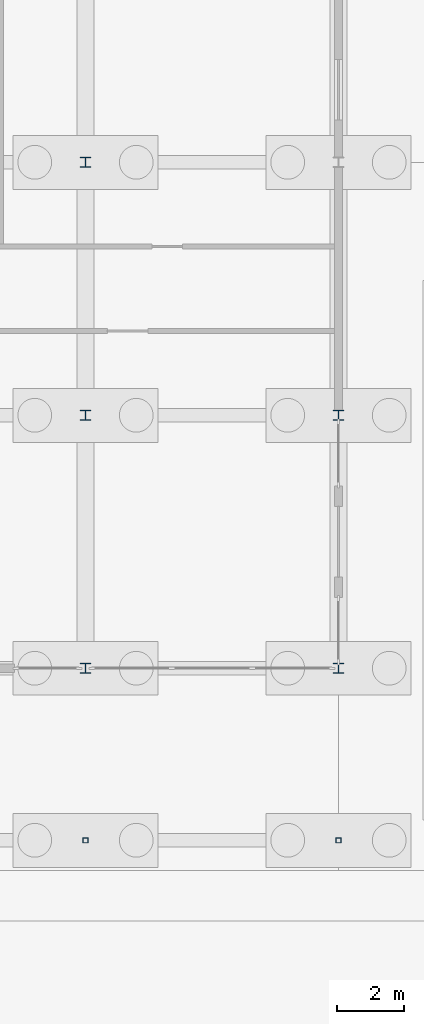
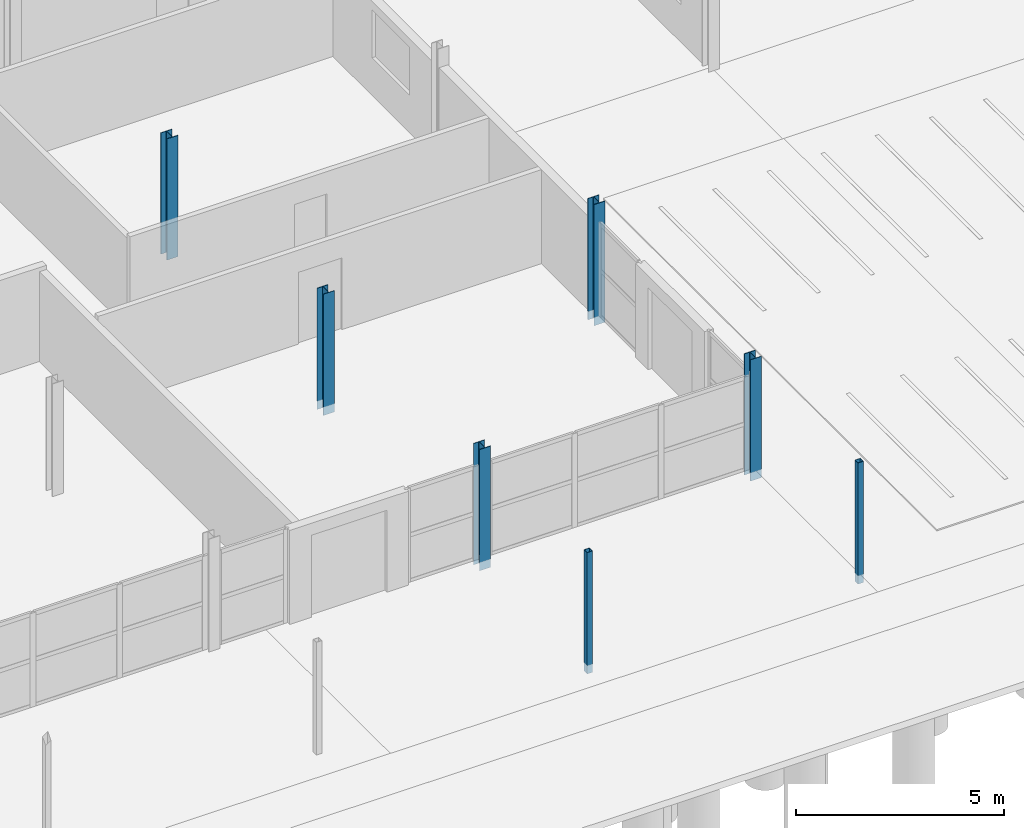
# One storey, part 26 of 130: 7 columns.
"""IFC4 building model written with IfcOpenShell, lengths in metres."""

from ifc_helpers import new_model, si_unit, direction, frame, origin, origin_2d, place, context, subcontext, project, spatial, hollow_rectangle, i_section, extrude, material, material_profile, profile_set, type_object, element, save


model = new_model("IFC4")

# Units and contexts
model_context = context("Model", 3, precision=1e-05, world=origin(), true_north=direction((0.0, 1.0)))
body_context = subcontext(model_context, "Body", "Model", "MODEL_VIEW")
ifc_project = project(units=[si_unit("LENGTHUNIT", "METRE"), si_unit("AREAUNIT", "SQUARE_METRE"), si_unit("VOLUMEUNIT", "CUBIC_METRE"), si_unit("PLANEANGLEUNIT", "RADIAN"), si_unit("MASSUNIT", "GRAM", prefix="KILO")], contexts=[model_context])

# Site, building, storey
site_placement = place(None, origin())
site = spatial("IfcSite", under=ifc_project, at=site_placement, CompositionType="ELEMENT")
building_placement = place(site_placement, origin())
building = spatial("IfcBuilding", under=site, at=building_placement, Name="Parallax Yard Mobility Hub", CompositionType="ELEMENT")
storey_placement = place(building_placement, origin())
storey = spatial("IfcBuildingStorey", under=building, at=storey_placement, Name="L00", CompositionType="ELEMENT", Elevation=0.0)

# Columns
ifc_material_1 = material(Name="Steel ASTM A500 Gr C", Category="steel")
ifc_material_profile_1 = material_profile(ifc_material_1, hollow_rectangle(XDim=0.15234375, YDim=0.15234375, WallThickness=0.009521484375, at=origin_2d()), Name="HSS152x152x9.5")
ifc_profile_set_1 = profile_set([ifc_material_profile_1], Name="Steel ASTM A500 Gr C")
column_type_1 = type_object("IfcColumnType", Name="Roof column HSS152x152x9.5", PredefinedType="COLUMN", material=ifc_profile_set_1)
for number, where, z_axis, x_axis, name in (
    (1, (165.0, 2.39990234375, -0.25), (0.0, 0.0, 1.0), (1.0, 0.0, 0.0), "Arcade column V6 10 level L00"),
    (2, (172.5, 2.39990234375, -0.25), (0.0, 0.0, 1.0), (1.0, 0.0, 0.0), "Arcade column V6 11 level L00"),
):
    element("IfcColumn", number, at=place(storey_placement, frame(where, z_axis=z_axis, x_axis=x_axis)), inside=storey, type_object=column_type_1, Name=name, PredefinedType="COLUMN", context=body_context, shape_type="SweptSolid", body=[
        extrude(hollow_rectangle(XDim=0.15234375, YDim=0.15234375, WallThickness=0.009521484375, at=origin_2d()), origin(), (0.0, 0.0, 1.0), 3.550048828125),
    ])
ifc_material_2 = material(Name="Steel ASTM A992", Category="steel")
ifc_material_profile_2 = material_profile(ifc_material_2, i_section(OverallWidth=0.304931640625, OverallDepth=0.306884765625, WebThickness=0.010009765625, FlangeThickness=0.015380859375, FilletRadius=0.01513671875, at=origin_2d()), Name="W310x97")
ifc_profile_set_2 = profile_set([ifc_material_profile_2], Name="Steel ASTM A992")
column_type_2 = type_object("IfcColumnType", Name="W310x97 column", PredefinedType="COLUMN", material=ifc_profile_set_2)
for number, where, z_axis, x_axis, name in (
    (3, (165.0, 7.5, -0.25), (0.0, 0.0, 1.0), (1.0, 0.0, 0.0), "Column C1 level L00 at B/23 of bicycle and shared-mobility hall"),
    (4, (165.0, 15.0, -0.25), (0.0, 0.0, 1.0), (1.0, 0.0, 0.0), "Column C1 level L00 at C/23 of bicycle and shared-mobility hall"),
    (5, (165.0, 22.5, -0.25), (0.0, 0.0, 1.0), (1.0, 0.0, 0.0), "Column C1 level L00 at D/23 of bicycle and shared-mobility hall"),
    (6, (172.5, 7.5, -0.25), (0.0, 0.0, 1.0), (1.0, 0.0, 0.0), "Column C1 level L00 at B/24 of bicycle and shared-mobility hall"),
    (7, (172.5, 15.0, -0.25), (0.0, 0.0, 1.0), (1.0, 0.0, 0.0), "Column C1 level L00 at C/24 of bicycle and shared-mobility hall"),
):
    element("IfcColumn", number, at=place(storey_placement, frame(where, z_axis=z_axis, x_axis=x_axis)), inside=storey, type_object=column_type_2, Name=name, PredefinedType="COLUMN", context=body_context, shape_type="SweptSolid", body=[
        extrude(i_section(OverallWidth=0.304931640625, OverallDepth=0.306884765625, WebThickness=0.010009765625, FlangeThickness=0.015380859375, FilletRadius=0.01513671875, at=origin_2d()), origin(), (0.0, 0.0, 1.0), 3.550048828125),
    ])

save(model, "model.ifc")
